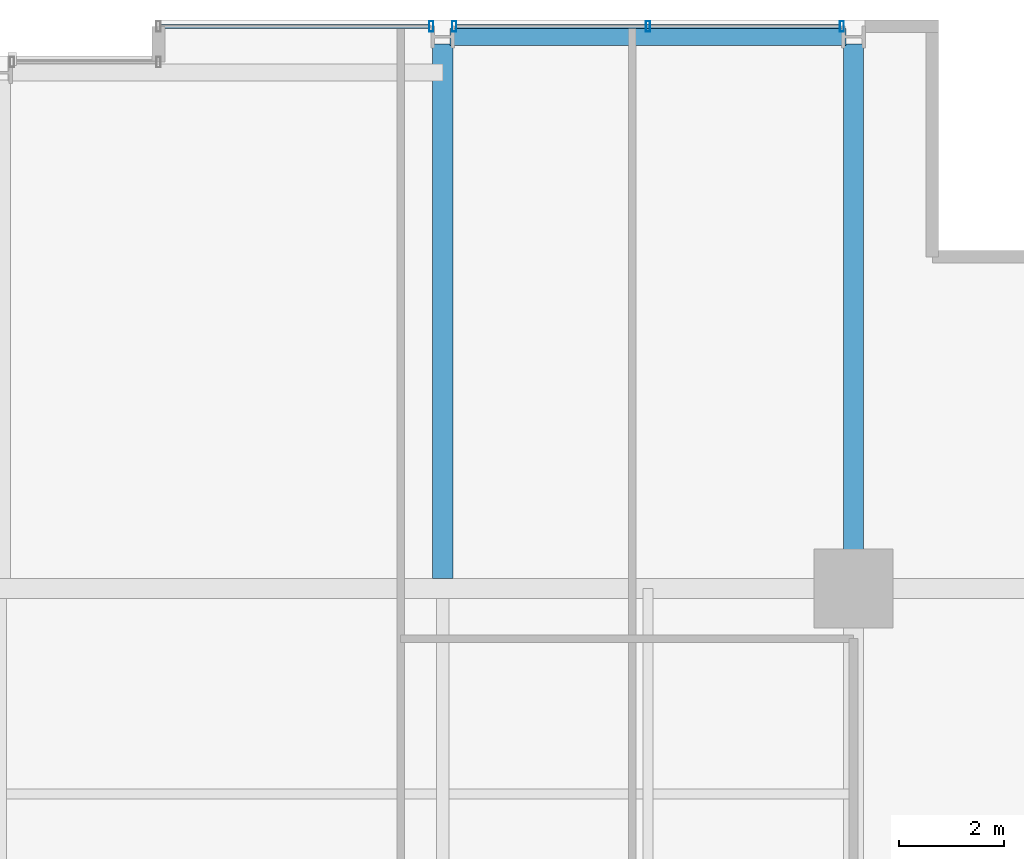
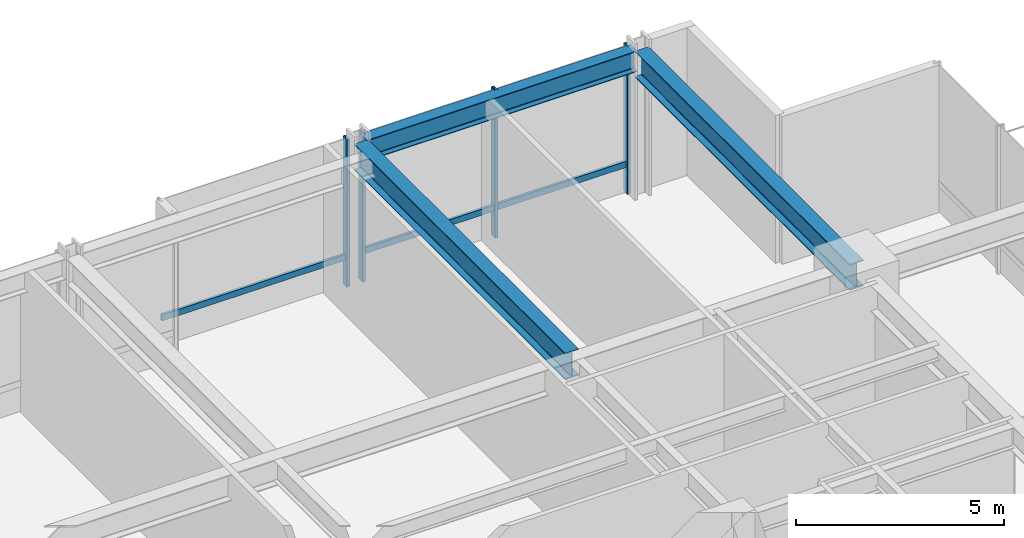
# One storey, part 25 of 33: 6 members, 3 beams, 2 elements without a shape of their own.
"""IFC4 building model written with IfcOpenShell, lengths in metres."""

from ifc_helpers import new_model, si_unit, direction, frame, origin, origin_2d, place, context, subcontext, project, spatial, hollow_rectangle, i_section, extrude, material, layer, layer_set, material_profile, profile_set, type_object, element, aggregate, save


model = new_model("IFC4")

# Units and contexts
model_context = context("Model", 3, precision=1e-05, world=origin(), true_north=direction((0.0, 1.0)))
body_context = subcontext(model_context, "Body", "Model", "MODEL_VIEW")
ifc_project = project(units=[si_unit("LENGTHUNIT", "METRE"), si_unit("AREAUNIT", "SQUARE_METRE"), si_unit("VOLUMEUNIT", "CUBIC_METRE"), si_unit("PLANEANGLEUNIT", "RADIAN"), si_unit("MASSUNIT", "GRAM", prefix="KILO")], contexts=[model_context])

# Site, building, storey
site_placement = place(None, origin())
site = spatial("IfcSite", under=ifc_project, at=site_placement, CompositionType="ELEMENT")
building_placement = place(site_placement, origin())
building = spatial("IfcBuilding", under=site, at=building_placement, Name="Drelvath Grand Hotel", CompositionType="ELEMENT")
storey_placement = place(building_placement, frame((0.0, 0.0, 87.199951171875)))
storey = spatial("IfcBuildingStorey", under=building, at=storey_placement, Name="L21", CompositionType="ELEMENT", Elevation=87.199951171875)

# Curtain wall, member
ifc_material_1 = material(Name="Champagne Bronze Anodised Aluminium Frame", Category="aluminium")
ifc_layer = layer(ifc_material_1, 0.199951171875)
ifc_layer_set = layer_set([ifc_layer], Name="Champagne Bronze Anodised Aluminium Frame")
curtain_wall_type = type_object("IfcCurtainWallType", Name="Stick Curtain Wall CW-03 Champagne Bronze Mid-Rise", PredefinedType="NOTDEFINED", material=ifc_layer_set)
curtain_wall_1_placement = place(storey_placement, origin())
curtain_wall_1 = element("IfcCurtainWall", 1, at=curtain_wall_1_placement, inside=storey, type_object=curtain_wall_type, Name="L21 CW-03 Curtain Wall CW03-L21-NE1", PredefinedType="NOTDEFINED")
ifc_material_profile_1 = material_profile(ifc_material_1, hollow_rectangle(XDim=0.074951171875, YDim=0.179931640625, WallThickness=0.0048828125, at=origin_2d()), Name="HSS180X75X5")
ifc_profile_set_1 = profile_set([ifc_material_profile_1], Name="Champagne Bronze Anodised Aluminium Frame")
member_type_1 = type_object("IfcMemberType", Name="Curtain Wall Horizontal Transom CW-03 HSS180X75X5", PredefinedType="USERDEFINED", material=ifc_profile_set_1)
member_1_placement = place(storey_placement, frame((3.0400390625, 53.8798828125, 0.85009765625), z_axis=(1.0, 0.0, 0.0), x_axis=(0.0, 1.0, 0.0)))
member_1 = element("IfcMember", 2, at=member_1_placement, type_object=member_type_1, Name="CW03-L21-NE1 Sill Transom", ObjectType="TRANSOM", PredefinedType="USERDEFINED", context=body_context, shape_type="SweptSolid", body=[
    extrude(hollow_rectangle(XDim=0.074951171875, YDim=0.179931640625, WallThickness=0.0048828125, at=origin_2d()), origin(), (0.0, 0.0, 1.0), 5.100341796875),
])

curtain_wall_2_placement = place(storey_placement, origin())
curtain_wall_2 = element("IfcCurtainWall", 3, at=curtain_wall_2_placement, inside=storey, type_object=curtain_wall_type, Name="L21 CW-03 Curtain Wall CW03-L21-NE2", PredefinedType="NOTDEFINED")
member_2_placement = place(storey_placement, frame((8.65966796875, 53.8798828125, 0.85009765625), z_axis=(1.0, 0.0, 0.0), x_axis=(0.0, 1.0, 0.0)))
member_2 = element("IfcMember", 4, at=member_2_placement, type_object=member_type_1, Name="CW03-L21-NE2 Sill Transom", ObjectType="TRANSOM", PredefinedType="USERDEFINED", context=body_context, shape_type="SweptSolid", body=[
    extrude(hollow_rectangle(XDim=0.074951171875, YDim=0.179931640625, WallThickness=0.0048828125, at=origin_2d()), origin(), (0.0, 0.0, 1.0), 7.28076171875),
])

# Member
ifc_material_profile_2 = material_profile(ifc_material_1, hollow_rectangle(XDim=0.080078125, YDim=0.199951171875, WallThickness=0.0048828125, at=origin_2d()), Name="HSS200X80X5")
ifc_profile_set_2 = profile_set([ifc_material_profile_2], Name="Champagne Bronze Anodised Aluminium Frame")
member_type_2 = type_object("IfcMemberType", Name="Curtain Wall Vertical Mullion CW-03 HSS200X80X5", PredefinedType="MULLION", material=ifc_profile_set_2)
member_3_placement = place(storey_placement, frame((8.180419921875, 53.8798828125, 0.0), z_axis=(0.0, 0.0, 1.0), x_axis=(1.0, 0.0, 0.0)))
member_3 = element("IfcMember", 5, at=member_3_placement, type_object=member_type_2, Name="CW03-L21-NE1 Mullion 2", PredefinedType="MULLION", context=body_context, shape_type="SweptSolid", body=[
    extrude(hollow_rectangle(XDim=0.080078125, YDim=0.199951171875, WallThickness=0.0048828125, at=origin_2d()), origin(), (0.0, 0.0, 1.0), 4.340087890625),
])

aggregate(curtain_wall_1, [member_3, member_1])

member_4_placement = place(storey_placement, frame((8.61962890625, 53.8798828125, 0.0), z_axis=(0.0, 0.0, 1.0), x_axis=(1.0, 0.0, 0.0)))
member_4 = element("IfcMember", 6, at=member_4_placement, type_object=member_type_2, Name="CW03-L21-NE2 Mullion 1", PredefinedType="MULLION", context=body_context, shape_type="SweptSolid", body=[
    extrude(hollow_rectangle(XDim=0.080078125, YDim=0.199951171875, WallThickness=0.0048828125, at=origin_2d()), origin(), (0.0, 0.0, 1.0), 4.340087890625),
])

member_5_placement = place(storey_placement, frame((12.300048828125, 53.8798828125, 0.0), z_axis=(0.0, 0.0, 1.0), x_axis=(1.0, 0.0, 0.0)))
member_5 = element("IfcMember", 7, at=member_5_placement, type_object=member_type_2, Name="CW03-L21-NE2 Mullion 2", PredefinedType="MULLION", context=body_context, shape_type="SweptSolid", body=[
    extrude(hollow_rectangle(XDim=0.080078125, YDim=0.199951171875, WallThickness=0.0048828125, at=origin_2d()), origin(), (0.0, 0.0, 1.0), 4.340087890625),
])

member_6_placement = place(storey_placement, frame((15.98046875, 53.8798828125, 0.0), z_axis=(0.0, 0.0, 1.0), x_axis=(1.0, 0.0, 0.0)))
member_6 = element("IfcMember", 8, at=member_6_placement, type_object=member_type_2, Name="CW03-L21-NE2 Mullion 3", PredefinedType="MULLION", context=body_context, shape_type="SweptSolid", body=[
    extrude(hollow_rectangle(XDim=0.080078125, YDim=0.199951171875, WallThickness=0.0048828125, at=origin_2d()), origin(), (0.0, 0.0, 1.0), 4.340087890625),
])

aggregate(curtain_wall_2, [member_4, member_5, member_6, member_2])

# Beams
ifc_material_2 = material(Name="Steel ASTM A992 Gr 50", Category="steel")
ifc_material_profile_3 = material_profile(ifc_material_2, i_section(OverallWidth=0.323974609375, OverallDepth=0.611083984375, WebThickness=0.0126953125, FlangeThickness=0.01904296875, FilletRadius=0.02197265625, at=origin_2d()), Name="W24X104")
ifc_profile_set_3 = profile_set([ifc_material_profile_3], Name="Steel ASTM A992 Gr 50")
beam_type_1 = type_object("IfcBeamType", Name="Perimeter Spandrel Beam W24X104", PredefinedType="SPANDREL", material=ifc_profile_set_3)
beam_1_placement = place(storey_placement, frame((8.5400390625, 53.679931640625, 4.03466796875), z_axis=(1.0, 0.0, 0.0), x_axis=(0.0, 1.0, 0.0)))
element("IfcBeam", 9, at=beam_1_placement, inside=storey, type_object=beam_type_1, Name="L21 Spandrel North E", PredefinedType="SPANDREL", context=body_context, shape_type="SweptSolid", body=[
    extrude(i_section(OverallWidth=0.323974609375, OverallDepth=0.611083984375, WebThickness=0.0126953125, FlangeThickness=0.01904296875, FilletRadius=0.02197265625, at=origin_2d()), origin(), (0.0, 0.0, 1.0), 7.52001953125),
])
ifc_material_profile_4 = material_profile(ifc_material_2, i_section(OverallWidth=0.380615234375, OverallDepth=0.773193359375, WebThickness=0.0166015625, FlangeThickness=0.027099609375, FilletRadius=0.02490234375, at=origin_2d()), Name="W30X173")
ifc_profile_set_4 = profile_set([ifc_material_profile_4], Name="Steel ASTM A992 Gr 50")
beam_type_2 = type_object("IfcBeamType", Name="Primary Floor Girder W30X173", PredefinedType="BEAM", material=ifc_profile_set_4)
beam_2_placement = place(storey_placement, frame((16.199951171875, 43.199951171875, 3.953369140625), z_axis=(0.0, 1.0, 0.0), x_axis=(-1.0, 0.0, 0.0)))
element("IfcBeam", 10, at=beam_2_placement, inside=storey, type_object=beam_type_2, Name="L21 North Grid Girder 7", PredefinedType="BEAM", context=body_context, shape_type="SweptSolid", body=[
    extrude(i_section(OverallWidth=0.380615234375, OverallDepth=0.773193359375, WebThickness=0.0166015625, FlangeThickness=0.027099609375, FilletRadius=0.02490234375, at=origin_2d()), origin(), (0.0, 0.0, 1.0), 10.340087890625),
])
beam_3_placement = place(storey_placement, frame((8.39990234375, 43.390380859375, 3.953369140625), z_axis=(0.0, 1.0, 0.0), x_axis=(-1.0, 0.0, 0.0)))
element("IfcBeam", 11, at=beam_3_placement, inside=storey, type_object=beam_type_2, Name="L21 North Wing Girder 6", PredefinedType="BEAM", context=body_context, shape_type="SweptSolid", body=[
    extrude(i_section(OverallWidth=0.380615234375, OverallDepth=0.773193359375, WebThickness=0.0166015625, FlangeThickness=0.027099609375, FilletRadius=0.02490234375, at=origin_2d()), origin(), (0.0, 0.0, 1.0), 10.149658203125),
])

save(model, "model.ifc")
